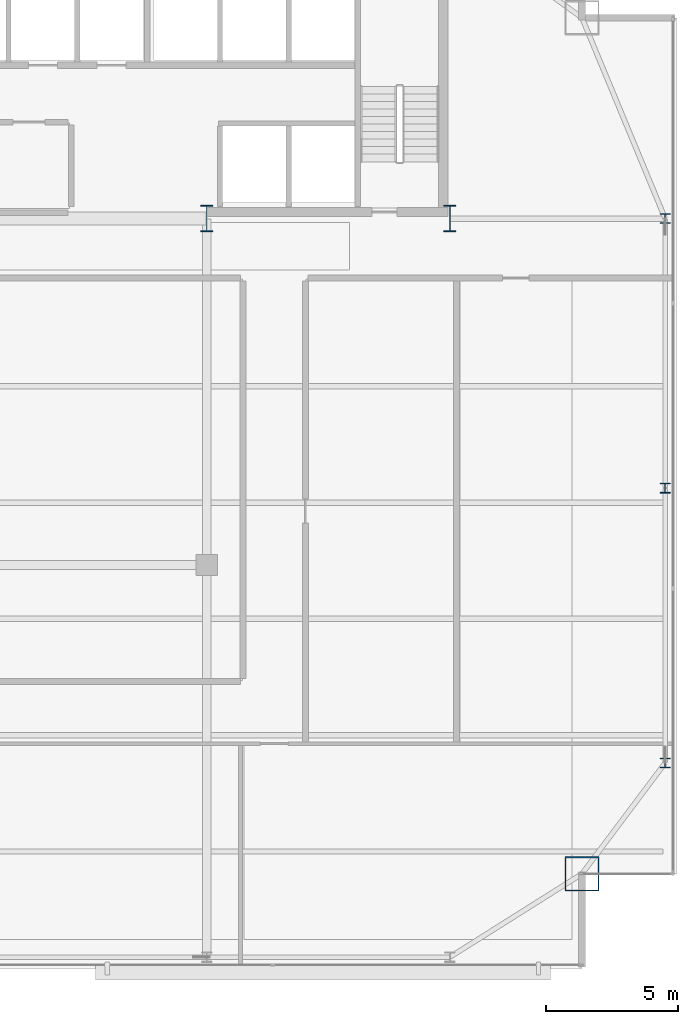
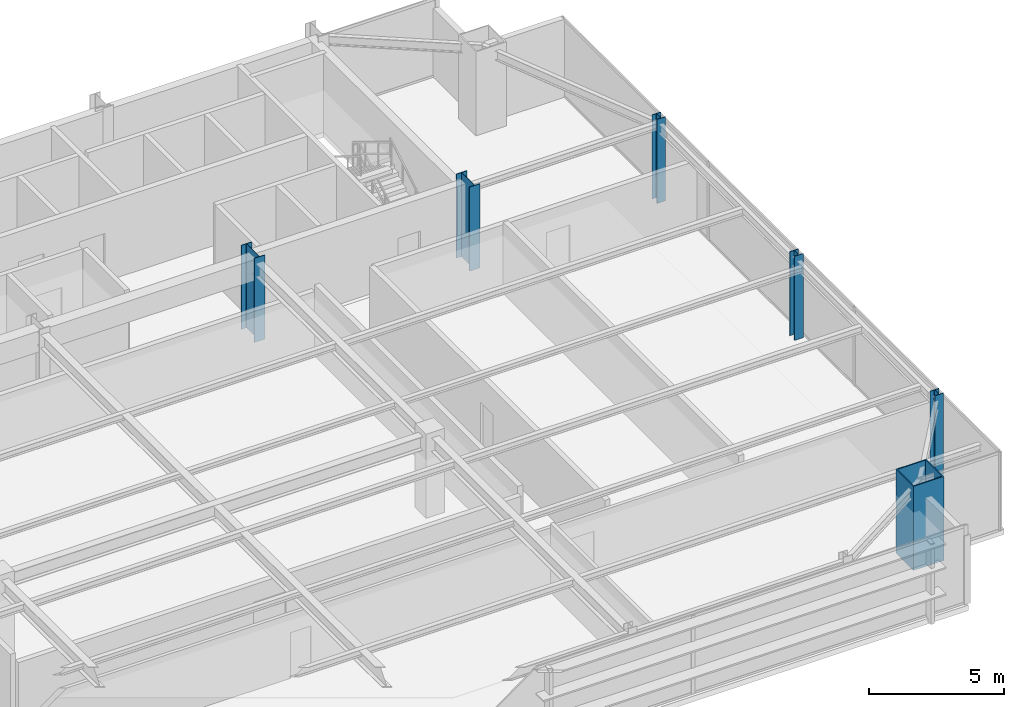
# One storey, part 2 of 29: 6 columns.
"""IFC4 building model written with IfcOpenShell, lengths in metres."""

from ifc_helpers import new_model, si_unit, direction, frame, origin, origin_2d, place, context, subcontext, project, spatial, hollow_rectangle, i_section, extrude, source, transform, mapped, material, material_profile, profile_set, type_object, type_shapes, element, save


model = new_model("IFC4")

# Units and contexts
model_context = context("Model", 3, precision=1e-05, world=origin(), true_north=direction((0.0, 1.0)))
body_context = subcontext(model_context, "Body", "Model", "MODEL_VIEW")
ifc_project = project(units=[si_unit("LENGTHUNIT", "METRE"), si_unit("AREAUNIT", "SQUARE_METRE"), si_unit("VOLUMEUNIT", "CUBIC_METRE"), si_unit("PLANEANGLEUNIT", "RADIAN"), si_unit("MASSUNIT", "GRAM", prefix="KILO")], contexts=[model_context])

# Site, building, storey
site_placement = place(None, origin())
site = spatial("IfcSite", under=ifc_project, at=site_placement, CompositionType="ELEMENT")
building_placement = place(site_placement, origin())
building = spatial("IfcBuilding", under=site, at=building_placement, Name="Varnel Quay Broadcast Tower", CompositionType="ELEMENT")
storey_placement = place(building_placement, frame((0.0, 0.0, 172.39990234375)))
storey = spatial("IfcBuildingStorey", under=building, at=storey_placement, Name="L42", CompositionType="ELEMENT", Elevation=172.39990234375)

# Columns
ifc_material_1 = material(Name="Structural Steel CSA G40.21 350WT", Category="steel")
ifc_material_profile_1 = material_profile(ifc_material_1, i_section(OverallWidth=0.449951171875, OverallDepth=1.0, WebThickness=0.01611328125, FlangeThickness=0.030029296875, FilletRadius=0.01611328125, at=origin_2d()), Name="WWF1000X362")
ifc_profile_set_1 = profile_set([ifc_material_profile_1], Name="Structural Steel CSA G40.21 350WT")
column_type_1 = type_object("IfcColumnType", Name="Col_WWF1000X362", PredefinedType="COLUMN", material=ifc_profile_set_1)
shared_shape_1 = source(origin(), body_context, "Body", "SweptSolid", [
    extrude(i_section(OverallWidth=0.449951171875, OverallDepth=1.0, WebThickness=0.01611328125, FlangeThickness=0.030029296875, FilletRadius=0.01611328125, at=origin_2d()), origin(), (0.0, 0.0, 1.0), 3.800048828125),
])
type_shapes(column_type_1, [shared_shape_1])
for number, where, z_axis, x_axis, name in (
    (1, (43.199951171875, 35.60009765625, 0.0), (0.0, 0.0, 1.0), (1.0, 0.0, 0.0), "L42 Column CC-S4"),
    (2, (52.39990234375, 35.60009765625, 0.0), (0.0, 0.0, 1.0), (1.0, 0.0, 0.0), "L42 Column CC-S5"),
):
    element("IfcColumn", number, at=place(storey_placement, frame(where, z_axis=z_axis, x_axis=x_axis)), inside=storey, type_object=column_type_1, Name=name, PredefinedType="COLUMN", context=body_context, shape_type="MappedRepresentation", body=[
        mapped(shared_shape_1, transform((0.0, 0.0, 0.0), x_axis=(1.0, 0.0, 0.0), y_axis=(0.0, 1.0, 0.0), z_axis=(0.0, 0.0, 1.0), scale=1.0)),
    ])
ifc_material_profile_2 = material_profile(ifc_material_1, hollow_rectangle(XDim=1.300048828125, YDim=1.300048828125, WallThickness=0.050048828125, at=origin_2d()), Name="BOX1300X1300X50")
ifc_profile_set_2 = profile_set([ifc_material_profile_2], Name="Structural Steel CSA G40.21 350WT")
column_type_2 = type_object("IfcColumnType", Name="Col_BOX1300X1300X50", PredefinedType="COLUMN", material=ifc_profile_set_2)
shared_shape_2 = source(origin(), body_context, "Body", "SweptSolid", [
    extrude(hollow_rectangle(XDim=1.300048828125, YDim=1.300048828125, WallThickness=0.050048828125, at=origin_2d()), origin(), (0.0, 0.0, 1.0), 3.800048828125),
])
type_shapes(column_type_2, [shared_shape_2])
column_placement = place(storey_placement, frame((57.39990234375, 10.800048828125, 0.0), z_axis=(0.0, 0.0, 1.0), x_axis=(1.0, 0.0, 0.0)))
element("IfcColumn", 3, at=column_placement, inside=storey, type_object=column_type_2, Name="L42 Column MC-SE", PredefinedType="COLUMN", context=body_context, shape_type="MappedRepresentation", body=[
    mapped(shared_shape_2, transform((0.0, 0.0, 0.0), x_axis=(1.0, 0.0, 0.0), y_axis=(0.0, 1.0, 0.0), z_axis=(0.0, 0.0, 1.0), scale=1.0)),
])
ifc_material_2 = material(Name="Structural Steel CSA G40.21 350W", Category="steel")
ifc_material_profile_3 = material_profile(ifc_material_2, i_section(OverallWidth=0.3740234375, OverallDepth=0.3720703125, WebThickness=0.016357421875, FlangeThickness=0.026123046875, FilletRadius=0.01611328125, at=origin_2d()), Name="W360X196")
ifc_profile_set_3 = profile_set([ifc_material_profile_3], Name="Structural Steel CSA G40.21 350W")
column_type_3 = type_object("IfcColumnType", Name="Col_W360X196", PredefinedType="COLUMN", material=ifc_profile_set_3)
shared_shape_3 = source(origin(), body_context, "Body", "SweptSolid", [
    extrude(i_section(OverallWidth=0.3740234375, OverallDepth=0.3720703125, WebThickness=0.016357421875, FlangeThickness=0.026123046875, FilletRadius=0.01611328125, at=origin_2d()), origin(), (0.0, 0.0, 1.0), 3.800048828125),
])
type_shapes(column_type_3, [shared_shape_3])
for number, where, z_axis, x_axis, name in (
    (4, (60.550048828125, 15.0, 0.0), (0.0, 0.0, 1.0), (1.0, 0.0, 0.0), "L42 Column TC-E1"),
    (5, (60.550048828125, 25.39990234375, 0.0), (0.0, 0.0, 1.0), (1.0, 0.0, 0.0), "L42 Column TC-E2"),
    (6, (60.550048828125, 35.60009765625, 0.0), (0.0, 0.0, 1.0), (1.0, 0.0, 0.0), "L42 Column TC-E3"),
):
    element("IfcColumn", number, at=place(storey_placement, frame(where, z_axis=z_axis, x_axis=x_axis)), inside=storey, type_object=column_type_3, Name=name, PredefinedType="COLUMN", context=body_context, shape_type="MappedRepresentation", body=[
        mapped(shared_shape_3, transform((0.0, 0.0, 0.0), x_axis=(1.0, 0.0, 0.0), y_axis=(0.0, 1.0, 0.0), z_axis=(0.0, 0.0, 1.0), scale=1.0)),
    ])

save(model, "model.ifc")
